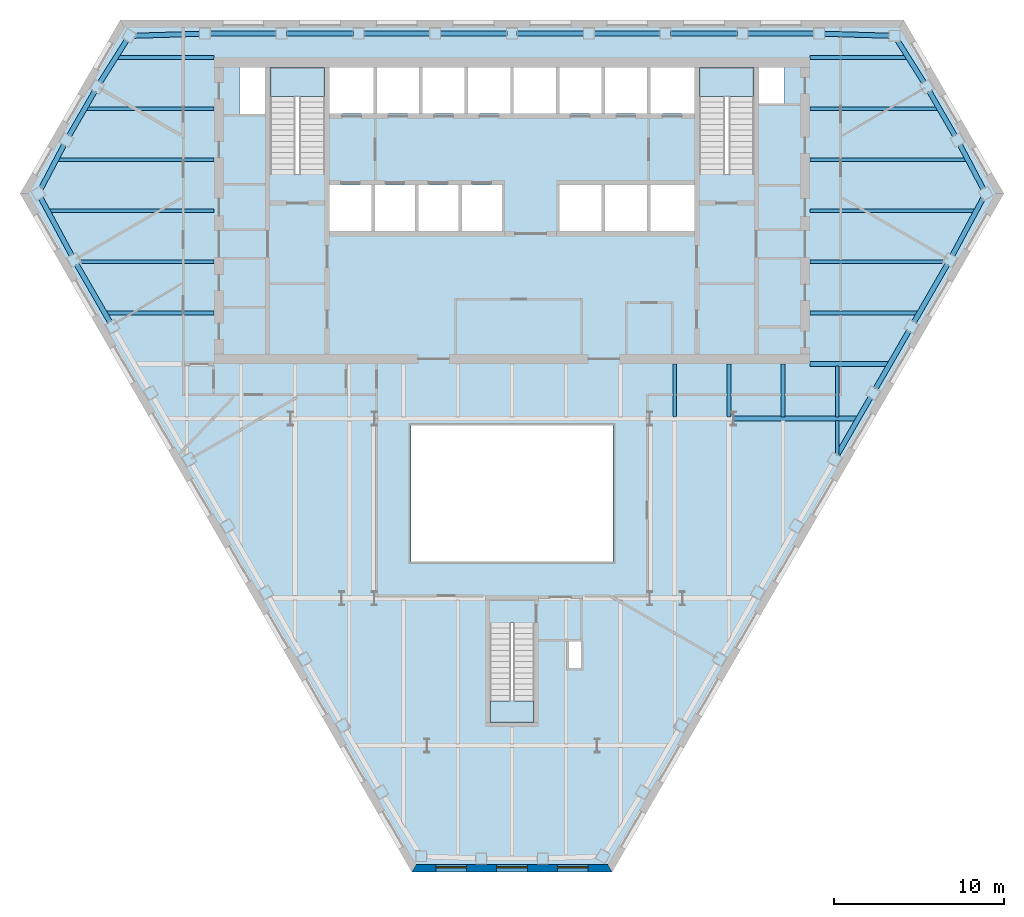
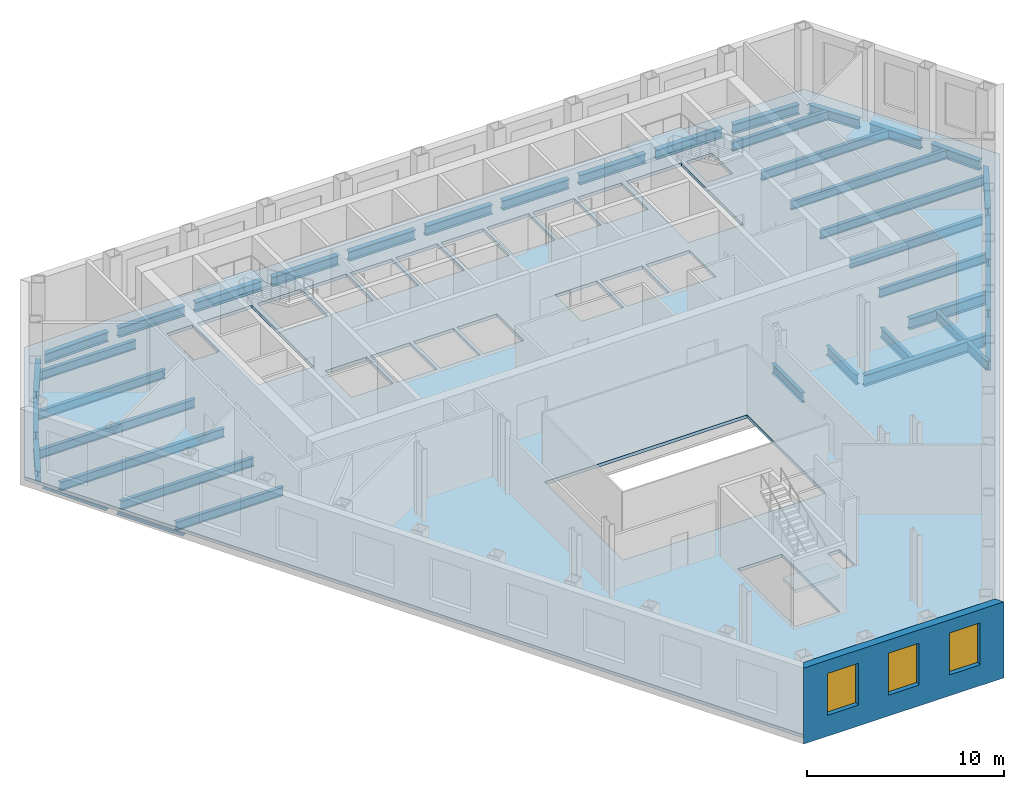
# One storey, part 3 of 11: 41 beams, 4 slabs, 3 windows, 1 wall, 3 openings, 3 elements without a shape of their own.
"""IFC4 building model written with IfcOpenShell, lengths in metres."""

from ifc_helpers import new_model, si_unit, direction, frame, frame_2d, origin, origin_2d, place, context, subcontext, project, spatial, polyline, rectangle, i_section, outline, extrude, clip, halfspace, material, layer, layer_set, material_profile, profile_set, type_object, element, fill, aggregate, save


model = new_model("IFC4")

# Units and contexts
model_context = context("Model", 3, precision=1e-05, world=origin(), true_north=direction((0.0, 1.0)))
body_context = subcontext(model_context, "Body", "Model", "MODEL_VIEW")
ifc_project = project(units=[si_unit("LENGTHUNIT", "METRE"), si_unit("AREAUNIT", "SQUARE_METRE"), si_unit("VOLUMEUNIT", "CUBIC_METRE"), si_unit("PLANEANGLEUNIT", "RADIAN"), si_unit("MASSUNIT", "GRAM", prefix="KILO")], contexts=[model_context])

# Site, building, storey
site_placement = place(None, origin())
site = spatial("IfcSite", under=ifc_project, at=site_placement, CompositionType="ELEMENT")
building_placement = place(site_placement, origin())
building = spatial("IfcBuilding", under=site, at=building_placement, Name="Njiva Tower", CompositionType="ELEMENT")
storey_placement = place(building_placement, frame((0.0, 0.0, 42.3)))
storey = spatial("IfcBuildingStorey", under=building, at=storey_placement, Name="L08", CompositionType="ELEMENT", Elevation=42.3)

# Beams
ifc_material_1 = material(Name="Steel S355 J2", Category="steel")
ifc_material_profile_1 = material_profile(ifc_material_1, i_section(OverallWidth=0.21, OverallDepth=0.55, WebThickness=0.0111, FlangeThickness=0.0172, at=origin_2d()), Name="IPE 550")
ifc_profile_set_1 = profile_set([ifc_material_profile_1], Name="Steel S355 J2")
beam_type_1 = type_object("IfcBeamType", Name="B10 Floor beam to the core IPE 550", PredefinedType="BEAM", material=ifc_profile_set_1)
beam_1_placement = place(storey_placement, frame((-23.876, 3.0, -0.475), z_axis=(1.0, 0.0, 0.0), x_axis=(0.0, 1.0, 0.0)))
element("IfcBeam", 1, at=beam_1_placement, inside=storey, type_object=beam_type_1, Name="Floor beam to the core S02-B006", PredefinedType="BEAM", context=body_context, shape_type="Clipping", body=[
    clip(extrude(i_section(OverallWidth=0.21, OverallDepth=0.55, WebThickness=0.0111, FlangeThickness=0.0172, at=origin_2d()), origin(), (0.0, 0.0, 1.0), 6.376), halfspace(frame((-0.025, 0.0, 0.0951), z_axis=(-0.499998009787, 0.0, -0.866026552831), x_axis=(0.0, -1.0, 0.0)), False)),
])
beam_2_placement = place(storey_placement, frame((17.5, 3.0, -0.475), z_axis=(1.0, 0.0, 0.0), x_axis=(0.0, 1.0, 0.0)))
element("IfcBeam", 2, at=beam_2_placement, inside=storey, type_object=beam_type_1, Name="Floor beam to the core S02-B008", PredefinedType="BEAM", context=body_context, shape_type="Clipping", body=[
    clip(extrude(i_section(OverallWidth=0.21, OverallDepth=0.55, WebThickness=0.0111, FlangeThickness=0.0172, at=origin_2d()), origin(), (0.0, 0.0, 1.0), 6.376), halfspace(frame((-0.025, 0.0, 6.2809), z_axis=(-0.499998009787, 0.0, 0.866026552831), x_axis=(0.0, 1.0, 0.0)), False)),
])
beam_3_placement = place(storey_placement, frame((-25.378, 6.0, -0.475), z_axis=(1.0, 0.0, 0.0), x_axis=(0.0, 1.0, 0.0)))
element("IfcBeam", 3, at=beam_3_placement, inside=storey, type_object=beam_type_1, Name="Floor beam to the core S02-B004", PredefinedType="BEAM", context=body_context, shape_type="Clipping", body=[
    clip(extrude(i_section(OverallWidth=0.21, OverallDepth=0.55, WebThickness=0.0111, FlangeThickness=0.0172, at=origin_2d()), origin(), (0.0, 0.0, 1.0), 7.878), halfspace(frame((-0.025, 0.0, 0.0959), z_axis=(-0.499998009787, 0.0, -0.866026552831), x_axis=(0.0, -1.0, 0.0)), False)),
])
beam_4_placement = place(storey_placement, frame((17.5, 6.0, -0.475), z_axis=(1.0, 0.0, 0.0), x_axis=(0.0, 1.0, 0.0)))
element("IfcBeam", 4, at=beam_4_placement, inside=storey, type_object=beam_type_1, Name="Floor beam to the core S02-B009", PredefinedType="BEAM", context=body_context, shape_type="Clipping", body=[
    clip(extrude(i_section(OverallWidth=0.21, OverallDepth=0.55, WebThickness=0.0111, FlangeThickness=0.0172, at=origin_2d()), origin(), (0.0, 0.0, 1.0), 7.878), halfspace(frame((-0.025, 0.0, 7.7821), z_axis=(-0.499998009787, 0.0, 0.866026552831), x_axis=(0.0, 1.0, 0.0)), False)),
])
beam_5_placement = place(storey_placement, frame((-26.721, 12.0, -0.475), z_axis=(1.0, 0.0, 0.0), x_axis=(0.0, 1.0, 0.0)))
element("IfcBeam", 5, at=beam_5_placement, inside=storey, type_object=beam_type_1, Name="Floor beam to the core S02-B002", PredefinedType="BEAM", context=body_context, shape_type="Clipping", body=[
    clip(extrude(i_section(OverallWidth=0.21, OverallDepth=0.55, WebThickness=0.0111, FlangeThickness=0.0172, at=origin_2d()), origin(), (0.0, 0.0, 1.0), 9.221), halfspace(frame((0.0234, 0.0, 0.0871), z_axis=(0.467062323174, 0.0, -0.884224398143), x_axis=(0.0, -1.0, 0.0)), False)),
])
beam_6_placement = place(storey_placement, frame((17.5, 12.0, -0.475), z_axis=(1.0, 0.0, 0.0), x_axis=(0.0, 1.0, 0.0)))
element("IfcBeam", 6, at=beam_6_placement, inside=storey, type_object=beam_type_1, Name="Floor beam to the core S02-B012", PredefinedType="BEAM", context=body_context, shape_type="Clipping", body=[
    clip(extrude(i_section(OverallWidth=0.21, OverallDepth=0.55, WebThickness=0.0111, FlangeThickness=0.0172, at=origin_2d()), origin(), (0.0, 0.0, 1.0), 9.221), halfspace(frame((0.0234, 0.0, 9.1339), z_axis=(0.467062323174, 0.0, 0.884224398143), x_axis=(0.0, 1.0, 0.0)), False)),
])
beam_7_placement = place(storey_placement, frame((-25.049, 15.0, -0.475), z_axis=(1.0, 0.0, 0.0), x_axis=(0.0, 1.0, 0.0)))
element("IfcBeam", 7, at=beam_7_placement, inside=storey, type_object=beam_type_1, Name="Floor beam to the core S02-B005", PredefinedType="BEAM", context=body_context, shape_type="Clipping", body=[
    clip(extrude(i_section(OverallWidth=0.21, OverallDepth=0.55, WebThickness=0.0111, FlangeThickness=0.0172, at=origin_2d()), origin(), (0.0, 0.0, 1.0), 7.549), halfspace(frame((0.025, 0.0, 0.0954), z_axis=(0.499998009787, 0.0, -0.866026552831), x_axis=(0.0, -1.0, 0.0)), False)),
])
beam_8_placement = place(storey_placement, frame((17.5, 15.0, -0.475), z_axis=(1.0, 0.0, 0.0), x_axis=(0.0, 1.0, 0.0)))
element("IfcBeam", 8, at=beam_8_placement, inside=storey, type_object=beam_type_1, Name="Floor beam to the core S02-B013", PredefinedType="BEAM", context=body_context, shape_type="Clipping", body=[
    clip(extrude(i_section(OverallWidth=0.21, OverallDepth=0.55, WebThickness=0.0111, FlangeThickness=0.0172, at=origin_2d()), origin(), (0.0, 0.0, 1.0), 7.549), halfspace(frame((0.025, 0.0, 7.4536), z_axis=(0.499998009787, 0.0, 0.866026552831), x_axis=(0.0, 1.0, 0.0)), False)),
])
beam_9_placement = place(storey_placement, frame((-23.231, 18.0, -0.475), z_axis=(1.0, 0.0, 0.0), x_axis=(0.0, 1.0, 0.0)))
element("IfcBeam", 9, at=beam_9_placement, inside=storey, type_object=beam_type_1, Name="Floor beam to the core S02-B007", PredefinedType="BEAM", context=body_context, shape_type="Clipping", body=[
    clip(extrude(i_section(OverallWidth=0.21, OverallDepth=0.55, WebThickness=0.0111, FlangeThickness=0.0172, at=origin_2d()), origin(), (0.0, 0.0, 1.0), 5.731), halfspace(frame((0.0266, 0.0, 0.1031), z_axis=(0.53222991141, 0.0, -0.846599859083), x_axis=(0.0, -1.0, 0.0)), False)),
])
beam_10_placement = place(storey_placement, frame((17.5, 18.0, -0.475), z_axis=(1.0, 0.0, 0.0), x_axis=(0.0, 1.0, 0.0)))
element("IfcBeam", 10, at=beam_10_placement, inside=storey, type_object=beam_type_1, Name="Floor beam to the core S02-B014", PredefinedType="BEAM", context=body_context, shape_type="Clipping", body=[
    clip(extrude(i_section(OverallWidth=0.21, OverallDepth=0.55, WebThickness=0.0111, FlangeThickness=0.0172, at=origin_2d()), origin(), (0.0, 0.0, 1.0), 5.731), halfspace(frame((0.0266, 0.0, 5.6279), z_axis=(0.53222991141, 0.0, 0.846599859083), x_axis=(0.0, 1.0, 0.0)), False)),
])
ifc_material_profile_2 = material_profile(ifc_material_1, i_section(OverallWidth=0.21, OverallDepth=0.55, WebThickness=0.0111, FlangeThickness=0.0172, at=origin_2d()), Name="IPE 550")
ifc_profile_set_2 = profile_set([ifc_material_profile_2], Name="Steel S355 J2")
beam_type_2 = type_object("IfcBeamType", Name="B11 Long-span floor beam to the core IPE 550", PredefinedType="BEAM", material=ifc_profile_set_2)
beam_11_placement = place(storey_placement, frame((-27.224, 9.0, -0.475), z_axis=(1.0, 0.0, 0.0), x_axis=(0.0, 1.0, 0.0)))
element("IfcBeam", 11, at=beam_11_placement, inside=storey, type_object=beam_type_2, Name="Long-span floor beam to the core S02-B001", PredefinedType="BEAM", context=body_context, shape_type="Clipping", body=[
    clip(extrude(i_section(OverallWidth=0.21, OverallDepth=0.55, WebThickness=0.0111, FlangeThickness=0.0172, at=origin_2d()), origin(), (0.0, 0.0, 1.0), 9.724), halfspace(frame((-0.0237, 0.0, 0.0891), z_axis=(-0.473777178452, 0.0, -0.88064475538), x_axis=(0.0, -1.0, 0.0)), False)),
])
beam_12_placement = place(storey_placement, frame((17.5, 9.0, -0.475), z_axis=(1.0, 0.0, 0.0), x_axis=(0.0, 1.0, 0.0)))
element("IfcBeam", 12, at=beam_12_placement, inside=storey, type_object=beam_type_2, Name="Long-span floor beam to the core S02-B011", PredefinedType="BEAM", context=body_context, shape_type="Clipping", body=[
    clip(extrude(i_section(OverallWidth=0.21, OverallDepth=0.55, WebThickness=0.0111, FlangeThickness=0.0172, at=origin_2d()), origin(), (0.0, 0.0, 1.0), 9.724), halfspace(frame((-0.0237, 0.0, 9.6349), z_axis=(-0.473777178452, 0.0, 0.88064475538), x_axis=(0.0, 1.0, 0.0)), False)),
])
ifc_material_profile_3 = material_profile(ifc_material_1, i_section(OverallWidth=0.22, OverallDepth=0.6, WebThickness=0.012, FlangeThickness=0.019, at=origin_2d()), Name="IPE 600")
ifc_profile_set_3 = profile_set([ifc_material_profile_3], Name="Steel S355 J2")
beam_type_3 = type_object("IfcBeamType", Name="B14 Short-span floor joist IPE 600", PredefinedType="JOIST", material=ifc_profile_set_3)
for number, where, z_axis, x_axis, name in (
    (13, (9.55, -0.005, -0.5), (0.0, -1.0, 0.0), (1.0, 0.0, 0.0), "Short-span floor joist S02-B090"),
    (14, (12.733, -0.005, -0.5), (0.0, -1.0, 0.0), (1.0, 0.0, 0.0), "Short-span floor joist S02-B093"),
    (15, (15.917, -0.005, -0.5), (0.0, -1.0, 0.0), (1.0, 0.0, 0.0), "Short-span floor joist S02-B095"),
):
    element("IfcBeam", number, at=place(storey_placement, frame(where, z_axis=z_axis, x_axis=x_axis)), inside=storey, type_object=beam_type_3, Name=name, PredefinedType="JOIST", context=body_context, shape_type="SweptSolid", body=[
        extrude(i_section(OverallWidth=0.22, OverallDepth=0.6, WebThickness=0.012, FlangeThickness=0.019, at=origin_2d()), origin(), (0.0, 0.0, 1.0), 3.095),
    ])
beam_13_placement = place(storey_placement, frame((19.1, -0.1, -0.5), z_axis=(0.0, -1.0, 0.0), x_axis=(1.0, 0.0, 0.0)))
element("IfcBeam", 16, at=beam_13_placement, inside=storey, type_object=beam_type_3, Name="Short-span floor joist S02-B098", PredefinedType="JOIST", context=body_context, shape_type="SweptSolid", body=[
    extrude(i_section(OverallWidth=0.22, OverallDepth=0.6, WebThickness=0.012, FlangeThickness=0.019, at=origin_2d()), origin(), (0.0, 0.0, 1.0), 3.0),
])
beam_14_placement = place(storey_placement, frame((19.1, -3.3, -0.5), z_axis=(0.0, -1.0, 0.0), x_axis=(1.0, 0.0, 0.0)))
element("IfcBeam", 17, at=beam_14_placement, inside=storey, type_object=beam_type_3, Name="Short-span floor joist S02-B096", PredefinedType="JOIST", context=body_context, shape_type="Clipping", body=[
    clip(extrude(i_section(OverallWidth=0.22, OverallDepth=0.6, WebThickness=0.012, FlangeThickness=0.019, at=origin_2d()), origin(), (0.0, 0.0, 1.0), 2.131), halfspace(frame((-0.025, 0.0, 2.0322), z_axis=(-0.499998009787, 0.0, 0.866026552831), x_axis=(0.0, 1.0, 0.0)), False)),
])
ifc_material_profile_4 = material_profile(ifc_material_1, i_section(OverallWidth=0.3, OverallDepth=0.69, WebThickness=0.0145, FlangeThickness=0.027, at=origin_2d()), Name="HEA 700")
ifc_profile_set_4 = profile_set([ifc_material_profile_4], Name="Steel S355 J2")
beam_type_4 = type_object("IfcBeamType", Name="B15 Floor girder HEA 700", PredefinedType="BEAM", material=ifc_profile_set_4)
beam_15_placement = place(storey_placement, frame((13.0, -3.2, -0.545), z_axis=(1.0, 0.0, 0.0), x_axis=(0.0, 1.0, 0.0)))
element("IfcBeam", 18, at=beam_15_placement, inside=storey, type_object=beam_type_4, Name="Floor girder S02-B028", PredefinedType="BEAM", context=body_context, shape_type="Clipping", body=[
    clip(extrude(i_section(OverallWidth=0.3, OverallDepth=0.69, WebThickness=0.0145, FlangeThickness=0.027, at=origin_2d()), origin(), (0.0, 0.0, 1.0), 7.323), halfspace(frame((-0.025, 0.0, 7.2013), z_axis=(-0.499998009787, 0.0, 0.866026552831), x_axis=(0.0, 1.0, 0.0)), False)),
])
beam_16_placement = place(storey_placement, frame((17.5, 0.0, -0.545), z_axis=(1.0, 0.0, 0.0), x_axis=(0.0, 1.0, 0.0)))
element("IfcBeam", 19, at=beam_16_placement, inside=storey, type_object=beam_type_4, Name="Floor girder S02-B029", PredefinedType="BEAM", context=body_context, shape_type="Clipping", body=[
    clip(extrude(i_section(OverallWidth=0.3, OverallDepth=0.69, WebThickness=0.0145, FlangeThickness=0.027, at=origin_2d()), origin(), (0.0, 0.0, 1.0), 4.67), halfspace(frame((-0.025, 0.0, 4.5489), z_axis=(-0.499998009787, 0.0, 0.866026552831), x_axis=(0.0, 1.0, 0.0)), False)),
])
ifc_material_profile_5 = material_profile(ifc_material_1, i_section(OverallWidth=0.3, OverallDepth=0.6, WebThickness=0.0155, FlangeThickness=0.03, at=origin_2d()), Name="HEB 600")
ifc_profile_set_5 = profile_set([ifc_material_profile_5], Name="Steel S355 J2")
beam_type_5 = type_object("IfcBeamType", Name="B3 Short-span spandrel beam HEB 600", PredefinedType="SPANDREL", material=ifc_profile_set_5)
beam_17_placement = place(storey_placement, frame((22.162, 19.276, -0.5), z_axis=(-0.999548107162, 0.030059631884, 0.0), x_axis=(-0.030059631884, -0.999548107162, 0.0)))
element("IfcBeam", 20, at=beam_17_placement, inside=storey, type_object=beam_type_5, Name="Short-span spandrel beam S02-B164", PredefinedType="SPANDREL", context=body_context, shape_type="SweptSolid", body=[
    extrude(i_section(OverallWidth=0.3, OverallDepth=0.6, WebThickness=0.0155, FlangeThickness=0.03, at=origin_2d()), origin(), (0.0, 0.0, 1.0), 3.8257),
])
beam_18_placement = place(storey_placement, frame((17.734, 19.4, -0.5), z_axis=(-1.0, 0.0, 0.0), x_axis=(0.0, -1.0, 0.0)))
element("IfcBeam", 21, at=beam_18_placement, inside=storey, type_object=beam_type_5, Name="Short-span spandrel beam S02-B158", PredefinedType="SPANDREL", context=body_context, shape_type="SweptSolid", body=[
    extrude(i_section(OverallWidth=0.3, OverallDepth=0.6, WebThickness=0.0155, FlangeThickness=0.03, at=origin_2d()), origin(), (0.0, 0.0, 1.0), 3.908),
])
beam_19_placement = place(storey_placement, frame((13.226, 19.4, -0.5), z_axis=(-1.0, 0.0, 0.0), x_axis=(0.0, -1.0, 0.0)))
element("IfcBeam", 22, at=beam_19_placement, inside=storey, type_object=beam_type_5, Name="Short-span spandrel beam S02-B152", PredefinedType="SPANDREL", context=body_context, shape_type="SweptSolid", body=[
    extrude(i_section(OverallWidth=0.3, OverallDepth=0.6, WebThickness=0.0155, FlangeThickness=0.03, at=origin_2d()), origin(), (0.0, 0.0, 1.0), 3.909),
])
beam_20_placement = place(storey_placement, frame((8.717, 19.4, -0.5), z_axis=(-1.0, 0.0, 0.0), x_axis=(0.0, -1.0, 0.0)))
element("IfcBeam", 23, at=beam_20_placement, inside=storey, type_object=beam_type_5, Name="Short-span spandrel beam S02-B146", PredefinedType="SPANDREL", context=body_context, shape_type="SweptSolid", body=[
    extrude(i_section(OverallWidth=0.3, OverallDepth=0.6, WebThickness=0.0155, FlangeThickness=0.03, at=origin_2d()), origin(), (0.0, 0.0, 1.0), 3.908),
])
for number, where, z_axis, x_axis, name in (
    (24, (4.209, 19.4, -0.5), (-1.0, 0.0, 0.0), (0.0, -1.0, 0.0), "Short-span spandrel beam S02-B143"),
    (25, (-0.3, 19.4, -0.5), (-1.0, 0.0, 0.0), (0.0, -1.0, 0.0), "Short-span spandrel beam S02-B140"),
):
    element("IfcBeam", number, at=place(storey_placement, frame(where, z_axis=z_axis, x_axis=x_axis)), inside=storey, type_object=beam_type_5, Name=name, PredefinedType="SPANDREL", context=body_context, shape_type="SweptSolid", body=[
        extrude(i_section(OverallWidth=0.3, OverallDepth=0.6, WebThickness=0.0155, FlangeThickness=0.03, at=origin_2d()), origin(), (0.0, 0.0, 1.0), 3.909),
    ])
beam_21_placement = place(storey_placement, frame((-4.809, 19.4, -0.5), z_axis=(-1.0, 0.0, 0.0), x_axis=(0.0, -1.0, 0.0)))
element("IfcBeam", 26, at=beam_21_placement, inside=storey, type_object=beam_type_5, Name="Short-span spandrel beam S02-B135", PredefinedType="SPANDREL", context=body_context, shape_type="SweptSolid", body=[
    extrude(i_section(OverallWidth=0.3, OverallDepth=0.6, WebThickness=0.0155, FlangeThickness=0.03, at=origin_2d()), origin(), (0.0, 0.0, 1.0), 3.908),
])
beam_22_placement = place(storey_placement, frame((-9.317, 19.4, -0.5), z_axis=(-1.0, 0.0, 0.0), x_axis=(0.0, -1.0, 0.0)))
element("IfcBeam", 27, at=beam_22_placement, inside=storey, type_object=beam_type_5, Name="Short-span spandrel beam S02-B129", PredefinedType="SPANDREL", context=body_context, shape_type="SweptSolid", body=[
    extrude(i_section(OverallWidth=0.3, OverallDepth=0.6, WebThickness=0.0155, FlangeThickness=0.03, at=origin_2d()), origin(), (0.0, 0.0, 1.0), 3.909),
])
beam_23_placement = place(storey_placement, frame((-13.826, 19.4, -0.5), z_axis=(-1.0, 0.0, 0.0), x_axis=(0.0, -1.0, 0.0)))
element("IfcBeam", 28, at=beam_23_placement, inside=storey, type_object=beam_type_5, Name="Short-span spandrel beam S02-B123", PredefinedType="SPANDREL", context=body_context, shape_type="SweptSolid", body=[
    extrude(i_section(OverallWidth=0.3, OverallDepth=0.6, WebThickness=0.0155, FlangeThickness=0.03, at=origin_2d()), origin(), (0.0, 0.0, 1.0), 3.908),
])
beam_24_placement = place(storey_placement, frame((-18.338, 19.391, -0.5), z_axis=(-0.999544572792, -0.03017692831, 0.0), x_axis=(0.03017692831, -0.999544572792, 0.0)))
element("IfcBeam", 29, at=beam_24_placement, inside=storey, type_object=beam_type_5, Name="Short-span spandrel beam S02-B117", PredefinedType="SPANDREL", context=body_context, shape_type="Clipping", body=[
    clip(extrude(i_section(OverallWidth=0.3, OverallDepth=0.6, WebThickness=0.0155, FlangeThickness=0.03, at=origin_2d()), origin(), (0.0, 0.0, 1.0), 3.8907), halfspace(frame((-0.0268, 0.0, 3.761), z_axis=(-0.525904318289, 0.0, 0.85054373668), x_axis=(0.0, 1.0, 0.0)), False)),
])
beam_25_placement = place(storey_placement, frame((-22.628, 19.009, -0.5), z_axis=(-0.532360352566, -0.846517840932, 0.0), x_axis=(0.846517840932, -0.532360352566, 0.0)))
element("IfcBeam", 30, at=beam_25_placement, inside=storey, type_object=beam_type_5, Name="Short-span spandrel beam S02-B114", PredefinedType="SPANDREL", context=body_context, shape_type="SweptSolid", body=[
    extrude(i_section(OverallWidth=0.3, OverallDepth=0.6, WebThickness=0.0155, FlangeThickness=0.03, at=origin_2d()), origin(), (0.0, 0.0, 1.0), 2.9285),
])
beam_26_placement = place(storey_placement, frame((-24.499, 16.012, -0.5), z_axis=(-0.50006736263, -0.865986508459, 0.0), x_axis=(0.865986508459, -0.50006736263, 0.0)))
element("IfcBeam", 31, at=beam_26_placement, inside=storey, type_object=beam_type_5, Name="Short-span spandrel beam S02-B110", PredefinedType="SPANDREL", context=body_context, shape_type="SweptSolid", body=[
    extrude(i_section(OverallWidth=0.3, OverallDepth=0.6, WebThickness=0.0155, FlangeThickness=0.03, at=origin_2d()), origin(), (0.0, 0.0, 1.0), 3.0116),
])
beam_27_placement = place(storey_placement, frame((-26.298, 12.874, -0.5), z_axis=(-0.466977519843, -0.8842691875, 0.0), x_axis=(0.8842691875, -0.466977519843, 0.0)))
element("IfcBeam", 32, at=beam_27_placement, inside=storey, type_object=beam_type_5, Name="Short-span spandrel beam S02-B107", PredefinedType="SPANDREL", context=body_context, shape_type="Clipping", body=[
    clip(extrude(i_section(OverallWidth=0.3, OverallDepth=0.6, WebThickness=0.0155, FlangeThickness=0.03, at=origin_2d()), origin(), (0.0, 0.0, 1.0), 2.9921), halfspace(frame((-0.0265, 0.0, 2.8617), z_axis=(-0.532312765689, 0.0, 0.846547765625), x_axis=(0.0, 1.0, 0.0)), False)),
])
beam_28_placement = place(storey_placement, frame((-27.664, 9.748, -0.5), z_axis=(0.473881592304, -0.880588573896, 0.0), x_axis=(0.880588573896, 0.473881592304, 0.0)))
element("IfcBeam", 33, at=beam_28_placement, inside=storey, type_object=beam_type_5, Name="Short-span spandrel beam S02-B106", PredefinedType="SPANDREL", context=body_context, shape_type="SweptSolid", body=[
    extrude(i_section(OverallWidth=0.3, OverallDepth=0.6, WebThickness=0.0155, FlangeThickness=0.03, at=origin_2d()), origin(), (0.0, 0.0, 1.0), 3.8259),
])
for number, where, z_axis, x_axis, name in (
    (34, (-25.557, 5.851, -0.5), (0.499936548189, -0.866062034606, 0.0), (0.866062034606, 0.499936548189, 0.0), "Short-span spandrel beam S02-B111"),
    (35, (19.094, -5.343, -0.5), (0.499936548189, 0.866062034606, 0.0), (-0.866062034606, 0.499936548189, 0.0), "Short-span spandrel beam S02-B166"),
):
    element("IfcBeam", number, at=place(storey_placement, frame(where, z_axis=z_axis, x_axis=x_axis)), inside=storey, type_object=beam_type_5, Name=name, PredefinedType="SPANDREL", context=body_context, shape_type="SweptSolid", body=[
        extrude(i_section(OverallWidth=0.3, OverallDepth=0.6, WebThickness=0.0155, FlangeThickness=0.03, at=origin_2d()), origin(), (0.0, 0.0, 1.0), 3.9085),
    ])
beam_29_placement = place(storey_placement, frame((21.348, -1.438, -0.5), z_axis=(0.500239230067, 0.865887240177, 0.0), x_axis=(-0.865887240177, 0.500239230067, 0.0)))
element("IfcBeam", 36, at=beam_29_placement, inside=storey, type_object=beam_type_5, Name="Short-span spandrel beam S02-B168", PredefinedType="SPANDREL", context=body_context, shape_type="SweptSolid", body=[
    extrude(i_section(OverallWidth=0.3, OverallDepth=0.6, WebThickness=0.0155, FlangeThickness=0.03, at=origin_2d()), origin(), (0.0, 0.0, 1.0), 3.9081),
])
beam_30_placement = place(storey_placement, frame((23.603, 2.466, -0.5), z_axis=(0.499936548189, 0.866062034606, 0.0), x_axis=(-0.866062034606, 0.499936548189, 0.0)))
element("IfcBeam", 37, at=beam_30_placement, inside=storey, type_object=beam_type_5, Name="Short-span spandrel beam S02-B172", PredefinedType="SPANDREL", context=body_context, shape_type="SweptSolid", body=[
    extrude(i_section(OverallWidth=0.3, OverallDepth=0.6, WebThickness=0.0155, FlangeThickness=0.03, at=origin_2d()), origin(), (0.0, 0.0, 1.0), 3.9085),
])
beam_31_placement = place(storey_placement, frame((25.851, 6.379, -0.5), z_axis=(0.473799891444, 0.880632535662, 0.0), x_axis=(-0.880632535662, 0.473799891444, 0.0)))
element("IfcBeam", 38, at=beam_31_placement, inside=storey, type_object=beam_type_5, Name="Short-span spandrel beam S02-B176", PredefinedType="SPANDREL", context=body_context, shape_type="Clipping", body=[
    clip(extrude(i_section(OverallWidth=0.3, OverallDepth=0.6, WebThickness=0.0155, FlangeThickness=0.03, at=origin_2d()), origin(), (0.0, 0.0, 1.0), 3.891), halfspace(frame((-0.0263, 0.0, 3.7612), z_axis=(-0.525752156411, 0.0, 0.850637801904), x_axis=(0.0, 1.0, 0.0)), False)),
])
beam_32_placement = place(storey_placement, frame((27.665, 10.285, -0.5), z_axis=(-0.466914448417, 0.884302492284, 0.0), x_axis=(-0.884302492284, -0.466914448417, 0.0)))
element("IfcBeam", 39, at=beam_32_placement, inside=storey, type_object=beam_type_5, Name="Short-span spandrel beam S02-B177", PredefinedType="SPANDREL", context=body_context, shape_type="SweptSolid", body=[
    extrude(i_section(OverallWidth=0.3, OverallDepth=0.6, WebThickness=0.0155, FlangeThickness=0.03, at=origin_2d()), origin(), (0.0, 0.0, 1.0), 2.9277),
])
beam_33_placement = place(storey_placement, frame((26.005, 13.404, -0.5), z_axis=(-0.50006736263, 0.865986508459, 0.0), x_axis=(-0.865986508459, -0.50006736263, 0.0)))
element("IfcBeam", 40, at=beam_33_placement, inside=storey, type_object=beam_type_5, Name="Short-span spandrel beam S02-B173", PredefinedType="SPANDREL", context=body_context, shape_type="SweptSolid", body=[
    extrude(i_section(OverallWidth=0.3, OverallDepth=0.6, WebThickness=0.0155, FlangeThickness=0.03, at=origin_2d()), origin(), (0.0, 0.0, 1.0), 3.0116),
])
beam_34_placement = place(storey_placement, frame((24.187, 16.53, -0.5), z_axis=(-0.532214232458, 0.846609715731, 0.0), x_axis=(-0.846609715731, -0.532214232458, 0.0)))
element("IfcBeam", 41, at=beam_34_placement, inside=storey, type_object=beam_type_5, Name="Short-span spandrel beam S02-B169", PredefinedType="SPANDREL", context=body_context, shape_type="Clipping", body=[
    clip(extrude(i_section(OverallWidth=0.3, OverallDepth=0.6, WebThickness=0.0155, FlangeThickness=0.03, at=origin_2d()), origin(), (0.0, 0.0, 1.0), 2.9925), halfspace(frame((-0.0264, 0.0, 2.8619), z_axis=(-0.532214232458, 0.0, 0.846609715731), x_axis=(0.0, 1.0, 0.0)), False)),
])

# Stair, slab
ifc_material_2 = material(Name="Concrete C40/50", Category="concrete")
stair_type_1 = type_object("IfcStairType", Name="ST4 Exit stair 1500", PredefinedType="HALF_TURN_STAIR", material=ifc_material_2)
stair_1_placement = place(storey_placement, origin())
stair_1 = element("IfcStair", 42, at=stair_1_placement, inside=storey, type_object=stair_type_1, Name="Stair A", PredefinedType="HALF_TURN_STAIR")
ifc_layer_1 = layer(ifc_material_2, 0.2)
ifc_layer_set_1 = layer_set([ifc_layer_1], Name="Concrete C40/50")
slab_type_1 = type_object("IfcSlabType", Name="FL9 Stair landing 200", PredefinedType="LANDING", material=ifc_layer_set_1)
slab_1_placement = place(storey_placement, frame((0.0, 0.0, 2.05)))
slab_1 = element("IfcSlab", 43, at=slab_1_placement, type_object=slab_type_1, Name="ST-A landing 1", PredefinedType="LANDING", context=body_context, shape_type="SweptSolid", body=[
    extrude(outline(polyline([(-14.206, 15.72), (-10.994, 15.72), (-10.994, 17.4), (-14.206, 17.4), (-14.206, 15.72)])), origin(), (0.0, 0.0, 1.0), 0.2),
])
aggregate(stair_1, [slab_1])

stair_2_placement = place(storey_placement, origin())
stair_2 = element("IfcStair", 44, at=stair_2_placement, inside=storey, type_object=stair_type_1, Name="Stair B", PredefinedType="HALF_TURN_STAIR")
slab_2_placement = place(storey_placement, frame((0.0, 0.0, 2.05)))
slab_2 = element("IfcSlab", 45, at=slab_2_placement, type_object=slab_type_1, Name="ST-B landing 1", PredefinedType="LANDING", context=body_context, shape_type="SweptSolid", body=[
    extrude(outline(polyline([(10.994, 15.72), (14.206, 15.72), (14.206, 17.4), (10.994, 17.4), (10.994, 15.72)])), origin(), (0.0, 0.0, 1.0), 0.2),
])
aggregate(stair_2, [slab_2])

stair_type_2 = type_object("IfcStairType", Name="ST1 Exit stair 1250", PredefinedType="HALF_TURN_STAIR", material=ifc_material_2)
stair_3_placement = place(storey_placement, origin())
stair_3 = element("IfcStair", 46, at=stair_3_placement, inside=storey, type_object=stair_type_2, Name="Stair C", PredefinedType="HALF_TURN_STAIR")
slab_3_placement = place(storey_placement, frame((0.0, 0.0, 2.05)))
slab_3 = element("IfcSlab", 47, at=slab_3_placement, type_object=slab_type_1, Name="ST-C landing 1", PredefinedType="LANDING", context=body_context, shape_type="SweptSolid", body=[
    extrude(outline(polyline([(-1.306, -21.05), (1.306, -21.05), (1.306, -19.78), (-1.306, -19.78), (-1.306, -21.05)])), origin(), (0.0, 0.0, 1.0), 0.2),
])
aggregate(stair_3, [slab_3])

# Slab
ifc_material_3 = material(Name="Concrete C30/37", Category="concrete")
ifc_layer_2 = layer(ifc_material_3, 0.2)
ifc_layer_set_2 = layer_set([ifc_layer_2], Name="Concrete C30/37")
slab_type_2 = type_object("IfcSlabType", Name="SL16 Composite floor slab 200", PredefinedType="FLOOR", material=ifc_layer_set_2)
slab_4_placement = place(storey_placement, frame((0.0, 0.0, -0.2)))
element("IfcSlab", 48, at=slab_4_placement, inside=storey, type_object=slab_type_2, Name="Floor slab L08", PredefinedType="FLOOR", context=body_context, shape_type="SweptSolid", body=[
    extrude(outline(polyline([(28.6252, 10.0155), (5.7501, -29.6053), (-5.7501, -29.6053), (-28.6252, 10.0155), (-22.8751, 19.975), (22.8751, 19.975), (28.6252, 10.0155)]), holes=[polyline([(14.5, 17.4), (14.5, 15.2885), (16.0, 15.2885), (16.0, 17.4), (14.5, 17.4)]), polyline([(10.994, 11.13), (14.206, 11.13), (14.206, 17.4), (10.994, 17.4), (10.994, 11.13)]), polyline([(8.125, 17.4), (8.125, 14.7), (10.7, 14.7), (10.7, 17.4), (8.125, 17.4)]), polyline([(8.1333, 10.5), (8.1333, 7.8), (10.7, 7.8), (10.7, 10.5), (8.1333, 10.5)]), polyline([(5.4667, 10.5), (5.4667, 7.8), (7.9333, 7.8), (7.9333, 10.5), (5.4667, 10.5)]), polyline([(5.45, 14.7), (7.925, 14.7), (7.925, 17.4), (5.45, 17.4), (5.45, 14.7)]), polyline([(5.94, -11.6), (5.94, -3.6), (-5.94, -3.6), (-5.94, -11.6), (5.94, -11.6)]), polyline([(2.8, 7.8), (5.2667, 7.8), (5.2667, 10.5), (2.8, 10.5), (2.8, 7.8)]), polyline([(2.775, 17.4), (2.775, 14.7), (5.25, 14.7), (5.25, 17.4), (2.775, 17.4)]), polyline([(3.35, -17.85), (4.05, -17.85), (4.05, -16.3), (3.35, -16.3), (3.35, -17.85)]), polyline([(0.1, 17.4), (0.1, 14.7), (2.575, 14.7), (2.575, 17.4), (0.1, 17.4)]), polyline([(-1.306, -21.05), (1.306, -21.05), (1.306, -15.19), (-1.306, -15.19), (-1.306, -21.05)]), polyline([(-2.575, 17.4), (-2.575, 14.7), (-0.1, 14.7), (-0.1, 17.4), (-2.575, 17.4)]), polyline([(-2.95, 10.5), (-2.95, 7.8), (-0.6, 7.8), (-0.6, 10.5), (-2.95, 10.5)]), polyline([(-5.25, 17.4), (-5.25, 14.7), (-2.775, 14.7), (-2.775, 17.4), (-5.25, 17.4)]), polyline([(-5.5, 10.5), (-5.5, 7.8), (-3.15, 7.8), (-3.15, 10.5), (-5.5, 10.5)]), polyline([(-7.925, 14.7), (-5.45, 14.7), (-5.45, 17.4), (-7.925, 17.4), (-7.925, 14.7)]), polyline([(-8.05, 7.8), (-5.7, 7.8), (-5.7, 10.5), (-8.05, 10.5), (-8.05, 7.8)]), polyline([(-10.7, 17.4), (-10.7, 14.7), (-8.125, 14.7), (-8.125, 17.4), (-10.7, 17.4)]), polyline([(-10.7, 7.8), (-8.25, 7.8), (-8.25, 10.5), (-10.7, 10.5), (-10.7, 7.8)]), polyline([(-14.206, 11.13), (-10.994, 11.13), (-10.994, 17.4), (-14.206, 17.4), (-14.206, 11.13)]), polyline([(-14.5, 14.6745), (-14.5, 17.4), (-16.0, 17.4), (-16.0, 14.6745), (-14.5, 14.6745)])]), origin(), (0.0, 0.0, 1.0), 0.2),
])

# Wall, openings, windows
ifc_material_4 = material(Name="Brick masonry, buff", Category="masonry")
ifc_layer_3 = layer(ifc_material_4, 0.45)
ifc_layer_set_3 = layer_set([ifc_layer_3], Name="Brick masonry, buff")
wall_type = type_object("IfcWallType", Name="WT94 Brick pier and spandrel wall 450, buff", PredefinedType="SOLIDWALL", material=ifc_layer_set_3)
wall_placement = place(storey_placement, frame((-5.7501, -29.6053, -0.4), z_axis=(0.0, 0.0, 1.0), x_axis=(1.0, 0.0, 0.0)))
wall = element("IfcWall", 49, at=wall_placement, inside=storey, type_object=wall_type, Name="Facade wall S", PredefinedType="SOLIDWALL", context=body_context, shape_type="SweptSolid", body=[
    extrude(outline(polyline([(-0.1299, -0.225), (11.6301, -0.225), (11.3703, 0.225), (0.1299, 0.225), (-0.1299, -0.225)])), origin(), (0.0, 0.0, 1.0), 4.72),
])
opening_1_placement = place(wall_placement, frame((1.2764, 0.0, 1.3)))
opening_1 = element("IfcOpeningElement", 50, at=opening_1_placement, cuts=wall, Name="Opening S02-W22", PredefinedType="OPENING", context=body_context, shape_type="SweptSolid", body=[
    extrude(rectangle(XDim=1.8, YDim=2.6, at=frame_2d((0.9, 1.3))), frame((0.0, 0.235, 0.0), z_axis=(0.0, -1.0, 0.0), x_axis=(1.0, 0.0, 0.0)), (0.0, 0.0, 1.0), 0.47),
])
opening_2_placement = place(wall_placement, frame((4.8501, 0.0, 1.3)))
opening_2 = element("IfcOpeningElement", 51, at=opening_2_placement, cuts=wall, Name="Opening S02-W23", PredefinedType="OPENING", context=body_context, shape_type="SweptSolid", body=[
    extrude(rectangle(XDim=1.8, YDim=2.6, at=frame_2d((0.9, 1.3))), frame((0.0, 0.235, 0.0), z_axis=(0.0, -1.0, 0.0), x_axis=(1.0, 0.0, 0.0)), (0.0, 0.0, 1.0), 0.47),
])
opening_3_placement = place(wall_placement, frame((8.4237, 0.0, 1.3)))
opening_3 = element("IfcOpeningElement", 52, at=opening_3_placement, cuts=wall, Name="Opening S02-W24", PredefinedType="OPENING", context=body_context, shape_type="SweptSolid", body=[
    extrude(rectangle(XDim=1.8, YDim=2.6, at=frame_2d((0.9, 1.3))), frame((0.0, 0.235, 0.0), z_axis=(0.0, -1.0, 0.0), x_axis=(1.0, 0.0, 0.0)), (0.0, 0.0, 1.0), 0.47),
])
ifc_material_5 = material(Name="Clear glazing in aluminium frame", Category="aluminium")
window_type = type_object("IfcWindowType", Name="W96 Deep-set window 1800x2600", PartitioningType="SINGLE_PANEL", PredefinedType="WINDOW", material=ifc_material_5)
window_1_placement = place(opening_1_placement, origin())
window_1 = element("IfcWindow", 53, at=window_1_placement, inside=storey, type_object=window_type, Name="Window", OverallHeight=2.6, OverallWidth=1.8, PartitioningType="SINGLE_PANEL", PredefinedType="WINDOW", context=body_context, shape_type="SweptSolid", body=[
    extrude(rectangle(XDim=1.8, YDim=2.6, at=frame_2d((0.9, 1.3))), frame((0.0, 0.105, 0.0), z_axis=(0.0, -1.0, 0.0), x_axis=(1.0, 0.0, 0.0)), (0.0, 0.0, 1.0), 0.06),
])
fill(opening_1, window_1)
window_2_placement = place(opening_2_placement, origin())
window_2 = element("IfcWindow", 54, at=window_2_placement, inside=storey, type_object=window_type, Name="Window", OverallHeight=2.6, OverallWidth=1.8, PartitioningType="SINGLE_PANEL", PredefinedType="WINDOW", context=body_context, shape_type="SweptSolid", body=[
    extrude(rectangle(XDim=1.8, YDim=2.6, at=frame_2d((0.9, 1.3))), frame((0.0, 0.105, 0.0), z_axis=(0.0, -1.0, 0.0), x_axis=(1.0, 0.0, 0.0)), (0.0, 0.0, 1.0), 0.06),
])
fill(opening_2, window_2)
window_3_placement = place(opening_3_placement, origin())
window_3 = element("IfcWindow", 55, at=window_3_placement, inside=storey, type_object=window_type, Name="Window", OverallHeight=2.6, OverallWidth=1.8, PartitioningType="SINGLE_PANEL", PredefinedType="WINDOW", context=body_context, shape_type="SweptSolid", body=[
    extrude(rectangle(XDim=1.8, YDim=2.6, at=frame_2d((0.9, 1.3))), frame((0.0, 0.105, 0.0), z_axis=(0.0, -1.0, 0.0), x_axis=(1.0, 0.0, 0.0)), (0.0, 0.0, 1.0), 0.06),
])
fill(opening_3, window_3)

save(model, "model.ifc")
